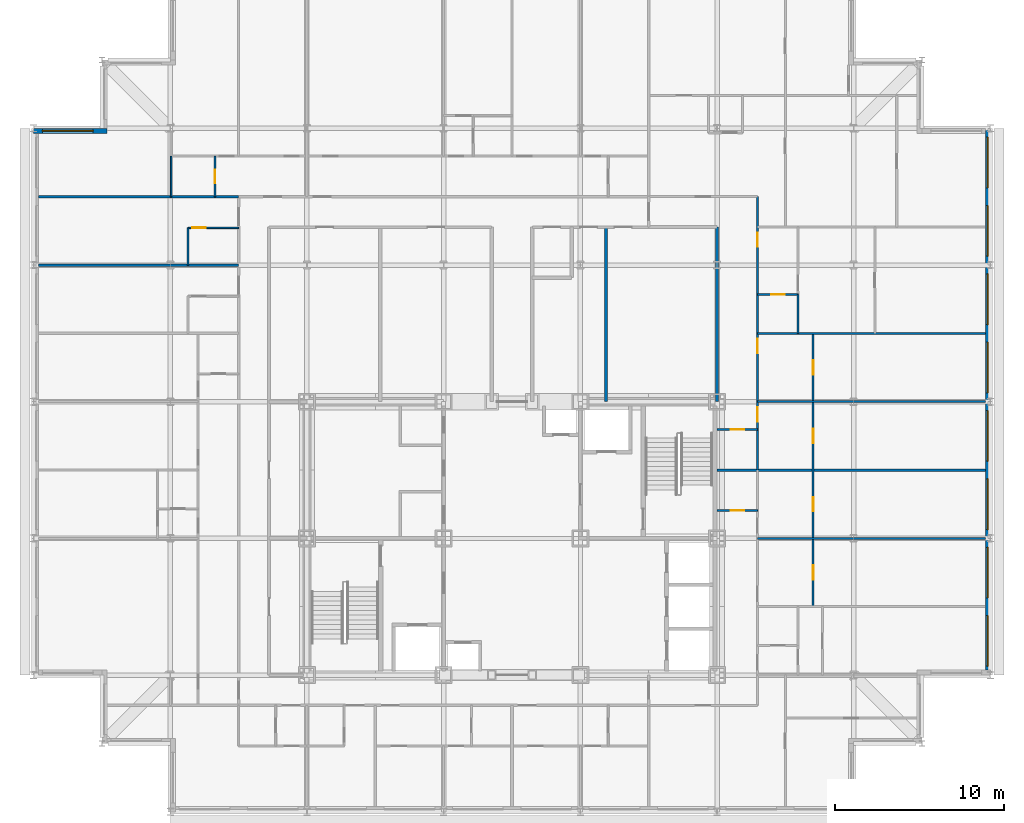
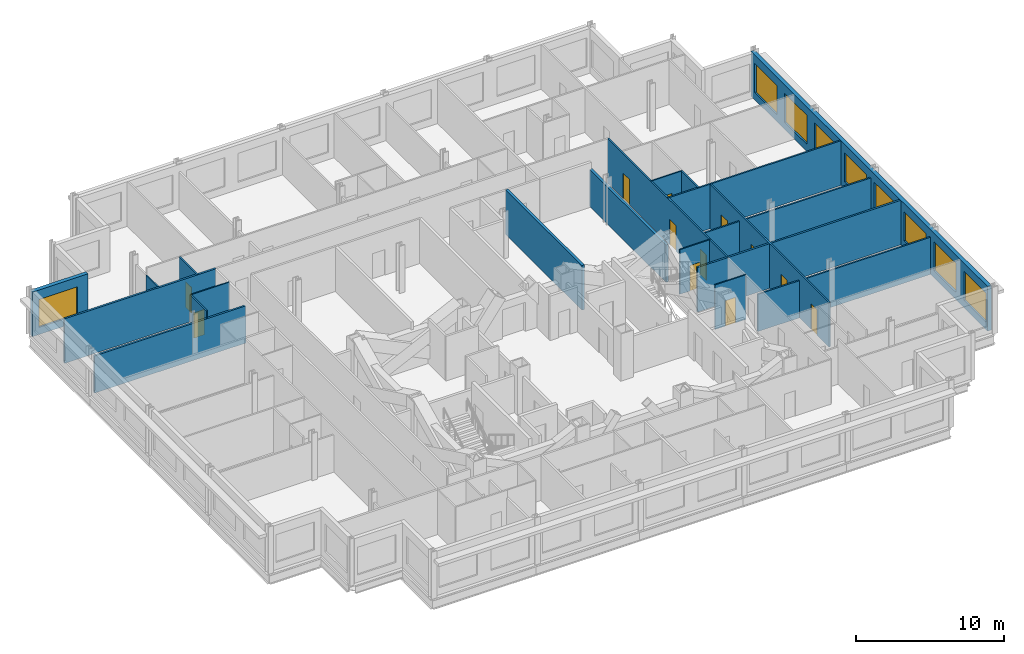
# One storey, part 11 of 15: 20 walls, 12 doors, 9 windows, 21 openings.
"""IFC4 building model written with IfcOpenShell, lengths in metres."""

from ifc_helpers import new_model, si_unit, direction, frame, frame_2d, origin, place, context, subcontext, project, spatial, rectangle, extrude, material, layer, layer_set, type_object, element, fill, save


model = new_model("IFC4")

# Units and contexts
model_context = context("Model", 3, precision=1e-05, world=origin(), true_north=direction((0.0, 1.0)))
body_context = subcontext(model_context, "Body", "Model", "MODEL_VIEW")
ifc_project = project(units=[si_unit("LENGTHUNIT", "METRE"), si_unit("AREAUNIT", "SQUARE_METRE"), si_unit("VOLUMEUNIT", "CUBIC_METRE"), si_unit("PLANEANGLEUNIT", "RADIAN"), si_unit("MASSUNIT", "GRAM", prefix="KILO")], contexts=[model_context])

# Site, building, storey
site_placement = place(None, origin())
site = spatial("IfcSite", under=ifc_project, at=site_placement, CompositionType="ELEMENT")
building_placement = place(site_placement, origin())
building = spatial("IfcBuilding", under=site, at=building_placement, Name="Kopane Lantern Tower", CompositionType="ELEMENT")
storey_placement = place(building_placement, frame((0.0, 0.0, 246.300048828125)))
storey = spatial("IfcBuildingStorey", under=building, at=storey_placement, Name="L63", CompositionType="ELEMENT", Elevation=246.300048828125)

# Wall
ifc_material_1 = material(Name="Gypsum board on steel studs", Category="steel")
ifc_layer_1 = layer(ifc_material_1, 0.1201171875)
ifc_layer_set_1 = layer_set([ifc_layer_1], Name="APARTMENT INTERNAL WALL 120")
wall_type_1 = type_object("IfcWallType", Name="APARTMENT INTERNAL WALL 120", PredefinedType="PARTITIONING", material=ifc_layer_set_1)
wall_1_placement = place(storey_placement, frame((42.89990234375, 32.39990234375, 0.0), z_axis=(0.0, 0.0, 1.0), x_axis=(1.0, 0.0, 0.0)))
element("IfcWall", 1, at=wall_1_placement, inside=storey, type_object=wall_type_1, Name="Apartment Internal Wall 120 L63", PredefinedType="PARTITIONING", context=body_context, shape_type="SweptSolid", body=[
    extrude(rectangle(XDim=13.5, YDim=0.1201171875, at=frame_2d((6.75, 0.0))), origin(), (0.0, 0.0, 1.0), 3.07763671875),
])

# Wall, openings, doors
wall_2_placement = place(storey_placement, frame((42.89990234375, 52.64990234375, 0.0), z_axis=(0.0, 0.0, 1.0), x_axis=(0.0, -1.0, 0.0)))
wall_2 = element("IfcWall", 2, at=wall_2_placement, inside=storey, type_object=wall_type_1, Name="Apartment Internal Wall 120 L63", PredefinedType="PARTITIONING", context=body_context, shape_type="SweptSolid", body=[
    extrude(rectangle(XDim=16.199951171875, YDim=0.1201171875, at=frame_2d((8.10009765625, 0.0))), origin(), (0.0, 0.0, 1.0), 3.68994140625),
])
opening_1_placement = place(wall_2_placement, frame((2.125, 0.0, 0.0)))
opening_1 = element("IfcOpeningElement", 3, at=opening_1_placement, cuts=wall_2, Name="Opening L63-058", PredefinedType="OPENING", context=body_context, shape_type="SweptSolid", body=[
    extrude(rectangle(XDim=0.85009765625, YDim=2.10009765625, at=frame_2d((0.425048828125, 1.050048828125))), frame((0.0, 0.070068359375, 0.0), z_axis=(0.0, -1.0, 0.0), x_axis=(1.0, 0.0, 0.0)), (0.0, 0.0, 1.0), 0.14013671875),
])
opening_2_placement = place(wall_2_placement, frame((8.425048828125, 0.0, 0.0)))
opening_2 = element("IfcOpeningElement", 4, at=opening_2_placement, cuts=wall_2, Name="Opening L63-059", PredefinedType="OPENING", context=body_context, shape_type="SweptSolid", body=[
    extrude(rectangle(XDim=0.85009765625, YDim=2.10009765625, at=frame_2d((0.425048828125, 1.050048828125))), frame((0.0, 0.070068359375, 0.0), z_axis=(0.0, -1.0, 0.0), x_axis=(1.0, 0.0, 0.0)), (0.0, 0.0, 1.0), 0.14013671875),
])
opening_3_placement = place(wall_2_placement, frame((12.47509765625, 0.0, 0.0)))
opening_3 = element("IfcOpeningElement", 5, at=opening_3_placement, cuts=wall_2, Name="Opening L63-060", PredefinedType="OPENING", context=body_context, shape_type="SweptSolid", body=[
    extrude(rectangle(XDim=0.85009765625, YDim=2.10009765625, at=frame_2d((0.425048828125, 1.050048828125))), frame((0.0, 0.070068359375, 0.0), z_axis=(0.0, -1.0, 0.0), x_axis=(1.0, 0.0, 0.0)), (0.0, 0.0, 1.0), 0.14013671875),
])
ifc_material_2 = material(Name="Timber door set", Category="wood")
door_type_1 = type_object("IfcDoorType", Name="DOOR D4 850x2100", OperationType="SINGLE_SWING_LEFT", PredefinedType="DOOR", material=ifc_material_2)
door_1_placement = place(opening_1_placement, origin())
door_1 = element("IfcDoor", 6, at=door_1_placement, inside=storey, type_object=door_type_1, Name="Door L63-058", OperationType="SINGLE_SWING_LEFT", OverallHeight=2.10009765625, OverallWidth=0.85009765625, PredefinedType="DOOR", context=body_context, shape_type="SweptSolid", body=[
    extrude(rectangle(XDim=0.85009765625, YDim=2.10009765625, at=frame_2d((0.425048828125, 1.050048828125))), frame((0.0, 0.02490234375, 0.0), z_axis=(0.0, -1.0, 0.0), x_axis=(1.0, 0.0, 0.0)), (0.0, 0.0, 1.0), 0.050048828125),
])
fill(opening_1, door_1)
door_2_placement = place(opening_2_placement, origin())
door_2 = element("IfcDoor", 7, at=door_2_placement, inside=storey, type_object=door_type_1, Name="Door L63-059", OperationType="SINGLE_SWING_LEFT", OverallHeight=2.10009765625, OverallWidth=0.85009765625, PredefinedType="DOOR", context=body_context, shape_type="SweptSolid", body=[
    extrude(rectangle(XDim=0.85009765625, YDim=2.10009765625, at=frame_2d((0.425048828125, 1.050048828125))), frame((0.0, 0.02490234375, 0.0), z_axis=(0.0, -1.0, 0.0), x_axis=(1.0, 0.0, 0.0)), (0.0, 0.0, 1.0), 0.050048828125),
])
fill(opening_2, door_2)
door_3_placement = place(opening_3_placement, origin())
door_3 = element("IfcDoor", 8, at=door_3_placement, inside=storey, type_object=door_type_1, Name="Door L63-060", OperationType="SINGLE_SWING_LEFT", OverallHeight=2.10009765625, OverallWidth=0.85009765625, PredefinedType="DOOR", context=body_context, shape_type="SweptSolid", body=[
    extrude(rectangle(XDim=0.85009765625, YDim=2.10009765625, at=frame_2d((0.425048828125, 1.050048828125))), frame((0.0, 0.02490234375, 0.0), z_axis=(0.0, -1.0, 0.0), x_axis=(1.0, 0.0, 0.0)), (0.0, 0.0, 1.0), 0.050048828125),
])
fill(opening_3, door_3)

# Walls
wall_3_placement = place(storey_placement, frame((42.89990234375, 44.550048828125, 0.0), z_axis=(0.0, 0.0, 1.0), x_axis=(1.0, 0.0, 0.0)))
element("IfcWall", 9, at=wall_3_placement, inside=storey, type_object=wall_type_1, Name="Apartment Internal Wall 120 L63", PredefinedType="PARTITIONING", context=body_context, shape_type="SweptSolid", body=[
    extrude(rectangle(XDim=13.5, YDim=0.1201171875, at=frame_2d((6.75, 0.0))), origin(), (0.0, 0.0, 1.0), 3.68994140625),
])
wall_4_placement = place(storey_placement, frame((42.89990234375, 40.5, 0.0), z_axis=(0.0, 0.0, 1.0), x_axis=(1.0, 0.0, 0.0)))
element("IfcWall", 10, at=wall_4_placement, inside=storey, type_object=wall_type_1, Name="Apartment Internal Wall 120 L63", PredefinedType="PARTITIONING", context=body_context, shape_type="SweptSolid", body=[
    extrude(rectangle(XDim=13.5, YDim=0.1201171875, at=frame_2d((6.75, 0.0))), origin(), (0.0, 0.0, 1.0), 3.07763671875),
])

# Wall, openings, doors
wall_5_placement = place(storey_placement, frame((46.199951171875, 28.35009765625, 0.0), z_axis=(0.0, 0.0, 1.0), x_axis=(0.0, 1.0, 0.0)))
wall_5 = element("IfcWall", 11, at=wall_5_placement, inside=storey, type_object=wall_type_1, Name="Apartment Internal Wall 120 L63", PredefinedType="PARTITIONING", context=body_context, shape_type="SweptSolid", body=[
    extrude(rectangle(XDim=16.199951171875, YDim=0.1201171875, at=frame_2d((8.10009765625, 0.0))), origin(), (0.0, 0.0, 1.0), 3.68994140625),
])
opening_4_placement = place(wall_5_placement, frame((1.60009765625, 0.0, 0.0)))
opening_4 = element("IfcOpeningElement", 12, at=opening_4_placement, cuts=wall_5, Name="Opening L63-068", PredefinedType="OPENING", context=body_context, shape_type="SweptSolid", body=[
    extrude(rectangle(XDim=0.85009765625, YDim=2.10009765625, at=frame_2d((0.425048828125, 1.050048828125))), frame((0.0, 0.070068359375, 0.0), z_axis=(0.0, -1.0, 0.0), x_axis=(1.0, 0.0, 0.0)), (0.0, 0.0, 1.0), 0.14013671875),
])
opening_5_placement = place(wall_5_placement, frame((5.64990234375, 0.0, 0.0)))
opening_5 = element("IfcOpeningElement", 13, at=opening_5_placement, cuts=wall_5, Name="Opening L63-069", PredefinedType="OPENING", context=body_context, shape_type="SweptSolid", body=[
    extrude(rectangle(XDim=0.85009765625, YDim=2.10009765625, at=frame_2d((0.425048828125, 1.050048828125))), frame((0.0, 0.070068359375, 0.0), z_axis=(0.0, -1.0, 0.0), x_axis=(1.0, 0.0, 0.0)), (0.0, 0.0, 1.0), 0.14013671875),
])
opening_6_placement = place(wall_5_placement, frame((13.75, 0.0, 0.0)))
opening_6 = element("IfcOpeningElement", 14, at=opening_6_placement, cuts=wall_5, Name="Opening L63-072", PredefinedType="OPENING", context=body_context, shape_type="SweptSolid", body=[
    extrude(rectangle(XDim=0.85009765625, YDim=2.10009765625, at=frame_2d((0.425048828125, 1.050048828125))), frame((0.0, 0.070068359375, 0.0), z_axis=(0.0, -1.0, 0.0), x_axis=(1.0, 0.0, 0.0)), (0.0, 0.0, 1.0), 0.14013671875),
])
opening_7_placement = place(wall_5_placement, frame((9.699951171875, 0.0, 0.0)))
opening_7 = element("IfcOpeningElement", 15, at=opening_7_placement, cuts=wall_5, Name="Opening L63-073", PredefinedType="OPENING", context=body_context, shape_type="SweptSolid", body=[
    extrude(rectangle(XDim=0.85009765625, YDim=2.10009765625, at=frame_2d((0.425048828125, 1.050048828125))), frame((0.0, 0.070068359375, 0.0), z_axis=(0.0, -1.0, 0.0), x_axis=(1.0, 0.0, 0.0)), (0.0, 0.0, 1.0), 0.14013671875),
])
door_4_placement = place(opening_4_placement, origin())
door_4 = element("IfcDoor", 16, at=door_4_placement, inside=storey, type_object=door_type_1, Name="Door L63-068", OperationType="SINGLE_SWING_LEFT", OverallHeight=2.10009765625, OverallWidth=0.85009765625, PredefinedType="DOOR", context=body_context, shape_type="SweptSolid", body=[
    extrude(rectangle(XDim=0.85009765625, YDim=2.10009765625, at=frame_2d((0.425048828125, 1.050048828125))), frame((0.0, 0.02490234375, 0.0), z_axis=(0.0, -1.0, 0.0), x_axis=(1.0, 0.0, 0.0)), (0.0, 0.0, 1.0), 0.050048828125),
])
fill(opening_4, door_4)
door_5_placement = place(opening_5_placement, origin())
door_5 = element("IfcDoor", 17, at=door_5_placement, inside=storey, type_object=door_type_1, Name="Door L63-069", OperationType="SINGLE_SWING_RIGHT", OverallHeight=2.10009765625, OverallWidth=0.85009765625, PredefinedType="DOOR", context=body_context, shape_type="SweptSolid", body=[
    extrude(rectangle(XDim=0.85009765625, YDim=2.10009765625, at=frame_2d((0.425048828125, 1.050048828125))), frame((0.0, 0.02490234375, 0.0), z_axis=(0.0, -1.0, 0.0), x_axis=(1.0, 0.0, 0.0)), (0.0, 0.0, 1.0), 0.050048828125),
])
fill(opening_5, door_5)
door_6_placement = place(opening_6_placement, origin())
door_6 = element("IfcDoor", 18, at=door_6_placement, inside=storey, type_object=door_type_1, Name="Door L63-072", OperationType="SINGLE_SWING_RIGHT", OverallHeight=2.10009765625, OverallWidth=0.85009765625, PredefinedType="DOOR", context=body_context, shape_type="SweptSolid", body=[
    extrude(rectangle(XDim=0.85009765625, YDim=2.10009765625, at=frame_2d((0.425048828125, 1.050048828125))), frame((0.0, 0.02490234375, 0.0), z_axis=(0.0, -1.0, 0.0), x_axis=(1.0, 0.0, 0.0)), (0.0, 0.0, 1.0), 0.050048828125),
])
fill(opening_6, door_6)
door_7_placement = place(opening_7_placement, origin())
door_7 = element("IfcDoor", 19, at=door_7_placement, inside=storey, type_object=door_type_1, Name="Door L63-073", OperationType="SINGLE_SWING_LEFT", OverallHeight=2.10009765625, OverallWidth=0.85009765625, PredefinedType="DOOR", context=body_context, shape_type="SweptSolid", body=[
    extrude(rectangle(XDim=0.85009765625, YDim=2.10009765625, at=frame_2d((0.425048828125, 1.050048828125))), frame((0.0, 0.02490234375, 0.0), z_axis=(0.0, -1.0, 0.0), x_axis=(1.0, 0.0, 0.0)), (0.0, 0.0, 1.0), 0.050048828125),
])
fill(opening_7, door_7)

# Wall
ifc_material_3 = material(Name="Moisture-resistant board on steel studs", Category="steel")
ifc_layer_2 = layer(ifc_material_3, 0.10009765625)
ifc_layer_set_2 = layer_set([ifc_layer_2], Name="BATHROOM WALL 100")
wall_type_2 = type_object("IfcWallType", Name="BATHROOM WALL 100", PredefinedType="PARTITIONING", material=ifc_layer_set_2)
wall_6_placement = place(storey_placement, frame((9.14990234375, 48.60009765625, 0.0), z_axis=(0.0, 0.0, 1.0), x_axis=(0.0, 1.0, 0.0)))
element("IfcWall", 20, at=wall_6_placement, inside=storey, type_object=wall_type_2, Name="Bathroom Wall 100 L63", PredefinedType="PARTITIONING", context=body_context, shape_type="SweptSolid", body=[
    extrude(rectangle(XDim=2.199951171875, YDim=0.10009765625, at=frame_2d((1.10009765625, 0.0))), origin(), (0.0, 0.0, 1.0), 3.68994140625),
])

# Wall, opening, door
wall_7_placement = place(storey_placement, frame((12.14990234375, 50.800048828125, 0.0), z_axis=(0.0, 0.0, 1.0), x_axis=(-1.0, 0.0, 0.0)))
wall_7 = element("IfcWall", 21, at=wall_7_placement, inside=storey, type_object=wall_type_2, Name="Bathroom Wall 100 L63", PredefinedType="PARTITIONING", context=body_context, shape_type="SweptSolid", body=[
    extrude(rectangle(XDim=3.0, YDim=0.10009765625, at=frame_2d((1.5, 0.0))), origin(), (0.0, 0.0, 1.0), 3.68994140625),
])
opening_8_placement = place(wall_7_placement, frame((1.949951171875, 0.0, 0.0)))
opening_8 = element("IfcOpeningElement", 22, at=opening_8_placement, cuts=wall_7, Name="Opening L63-034", PredefinedType="OPENING", context=body_context, shape_type="SweptSolid", body=[
    extrude(rectangle(XDim=0.800048828125, YDim=2.10009765625, at=frame_2d((0.39990234375, 1.050048828125))), frame((0.0, 0.06005859375, 0.0), z_axis=(0.0, -1.0, 0.0), x_axis=(1.0, 0.0, 0.0)), (0.0, 0.0, 1.0), 0.1201171875),
])
ifc_material_4 = material(Name="Timber door set", Category="wood")
door_type_2 = type_object("IfcDoorType", Name="DOOR D2 800x2100", OperationType="SINGLE_SWING_LEFT", PredefinedType="DOOR", material=ifc_material_4)
door_8_placement = place(opening_8_placement, origin())
door_8 = element("IfcDoor", 23, at=door_8_placement, inside=storey, type_object=door_type_2, Name="Door L63-034", OperationType="SINGLE_SWING_RIGHT", OverallHeight=2.10009765625, OverallWidth=0.800048828125, PredefinedType="DOOR", context=body_context, shape_type="SweptSolid", body=[
    extrude(rectangle(XDim=0.800048828125, YDim=2.10009765625, at=frame_2d((0.39990234375, 1.050048828125))), frame((0.0, 0.02490234375, 0.0), z_axis=(0.0, -1.0, 0.0), x_axis=(1.0, 0.0, 0.0)), (0.0, 0.0, 1.0), 0.050048828125),
])
fill(opening_8, door_8)

wall_8_placement = place(storey_placement, frame((10.75, 52.64990234375, 0.0), z_axis=(0.0, 0.0, 1.0), x_axis=(0.0, 1.0, 0.0)))
wall_8 = element("IfcWall", 24, at=wall_8_placement, inside=storey, type_object=wall_type_2, Name="Bathroom Wall 100 L63", PredefinedType="PARTITIONING", context=body_context, shape_type="SweptSolid", body=[
    extrude(rectangle(XDim=2.400146484375, YDim=0.10009765625, at=frame_2d((1.2001953125, 0.0))), origin(), (0.0, 0.0, 1.0), 3.68994140625),
])
opening_9_placement = place(wall_8_placement, frame((0.800048828125, 0.0, 0.0)))
opening_9 = element("IfcOpeningElement", 25, at=opening_9_placement, cuts=wall_8, Name="Opening L63-041", PredefinedType="OPENING", context=body_context, shape_type="SweptSolid", body=[
    extrude(rectangle(XDim=0.800048828125, YDim=2.10009765625, at=frame_2d((0.39990234375, 1.050048828125))), frame((0.0, 0.06005859375, 0.0), z_axis=(0.0, -1.0, 0.0), x_axis=(1.0, 0.0, 0.0)), (0.0, 0.0, 1.0), 0.1201171875),
])
door_9_placement = place(opening_9_placement, origin())
door_9 = element("IfcDoor", 26, at=door_9_placement, inside=storey, type_object=door_type_2, Name="Door L63-041", OperationType="SINGLE_SWING_LEFT", OverallHeight=2.10009765625, OverallWidth=0.800048828125, PredefinedType="DOOR", context=body_context, shape_type="SweptSolid", body=[
    extrude(rectangle(XDim=0.800048828125, YDim=2.10009765625, at=frame_2d((0.39990234375, 1.050048828125))), frame((0.0, 0.02490234375, 0.0), z_axis=(0.0, -1.0, 0.0), x_axis=(1.0, 0.0, 0.0)), (0.0, 0.0, 1.0), 0.050048828125),
])
fill(opening_9, door_9)

# Wall
wall_9_placement = place(storey_placement, frame((8.14990234375, 52.64990234375, 0.0), z_axis=(0.0, 0.0, 1.0), x_axis=(0.0, 1.0, 0.0)))
element("IfcWall", 27, at=wall_9_placement, inside=storey, type_object=wall_type_2, Name="Bathroom Wall 100 L63", PredefinedType="PARTITIONING", context=body_context, shape_type="SweptSolid", body=[
    extrude(rectangle(XDim=2.400146484375, YDim=0.10009765625, at=frame_2d((1.2001953125, 0.0))), origin(), (0.0, 0.0, 1.0), 3.07763671875),
])

# Wall, opening, door
wall_10_placement = place(storey_placement, frame((40.5, 34.050048828125, 0.0), z_axis=(0.0, 0.0, 1.0), x_axis=(1.0, 0.0, 0.0)))
wall_10 = element("IfcWall", 28, at=wall_10_placement, inside=storey, type_object=wall_type_2, Name="Bathroom Wall 100 L63", PredefinedType="PARTITIONING", context=body_context, shape_type="SweptSolid", body=[
    extrude(rectangle(XDim=2.39990234375, YDim=0.10009765625, at=frame_2d((1.199951171875, 0.0))), origin(), (0.0, 0.0, 1.0), 3.68994140625),
])
opening_10_placement = place(wall_10_placement, frame((0.800048828125, 0.0, 0.0)))
opening_10 = element("IfcOpeningElement", 29, at=opening_10_placement, cuts=wall_10, Name="Opening L63-044", PredefinedType="OPENING", context=body_context, shape_type="SweptSolid", body=[
    extrude(rectangle(XDim=0.800048828125, YDim=2.10009765625, at=frame_2d((0.39990234375, 1.050048828125))), frame((0.0, 0.06005859375, 0.0), z_axis=(0.0, -1.0, 0.0), x_axis=(1.0, 0.0, 0.0)), (0.0, 0.0, 1.0), 0.1201171875),
])
door_10_placement = place(opening_10_placement, origin())
door_10 = element("IfcDoor", 30, at=door_10_placement, inside=storey, type_object=door_type_2, Name="Door L63-044", OperationType="SINGLE_SWING_LEFT", OverallHeight=2.10009765625, OverallWidth=0.800048828125, PredefinedType="DOOR", context=body_context, shape_type="SweptSolid", body=[
    extrude(rectangle(XDim=0.800048828125, YDim=2.10009765625, at=frame_2d((0.39990234375, 1.050048828125))), frame((0.0, 0.02490234375, 0.0), z_axis=(0.0, -1.0, 0.0), x_axis=(1.0, 0.0, 0.0)), (0.0, 0.0, 1.0), 0.050048828125),
])
fill(opening_10, door_10)

wall_11_placement = place(storey_placement, frame((40.5, 38.85009765625, 0.0), z_axis=(0.0, 0.0, 1.0), x_axis=(1.0, 0.0, 0.0)))
wall_11 = element("IfcWall", 31, at=wall_11_placement, inside=storey, type_object=wall_type_2, Name="Bathroom Wall 100 L63", PredefinedType="PARTITIONING", context=body_context, shape_type="SweptSolid", body=[
    extrude(rectangle(XDim=2.39990234375, YDim=0.10009765625, at=frame_2d((1.199951171875, 0.0))), origin(), (0.0, 0.0, 1.0), 3.68994140625),
])
opening_11_placement = place(wall_11_placement, frame((0.800048828125, 0.0, 0.0)))
opening_11 = element("IfcOpeningElement", 32, at=opening_11_placement, cuts=wall_11, Name="Opening L63-052", PredefinedType="OPENING", context=body_context, shape_type="SweptSolid", body=[
    extrude(rectangle(XDim=0.800048828125, YDim=2.10009765625, at=frame_2d((0.39990234375, 1.050048828125))), frame((0.0, 0.06005859375, 0.0), z_axis=(0.0, -1.0, 0.0), x_axis=(1.0, 0.0, 0.0)), (0.0, 0.0, 1.0), 0.1201171875),
])
door_11_placement = place(opening_11_placement, origin())
door_11 = element("IfcDoor", 33, at=door_11_placement, inside=storey, type_object=door_type_2, Name="Door L63-052", OperationType="SINGLE_SWING_RIGHT", OverallHeight=2.10009765625, OverallWidth=0.800048828125, PredefinedType="DOOR", context=body_context, shape_type="SweptSolid", body=[
    extrude(rectangle(XDim=0.800048828125, YDim=2.10009765625, at=frame_2d((0.39990234375, 1.050048828125))), frame((0.0, 0.02490234375, 0.0), z_axis=(0.0, -1.0, 0.0), x_axis=(1.0, 0.0, 0.0)), (0.0, 0.0, 1.0), 0.050048828125),
])
fill(opening_11, door_11)

wall_12_placement = place(storey_placement, frame((42.89990234375, 46.85009765625, 0.0), z_axis=(0.0, 0.0, 1.0), x_axis=(1.0, 0.0, 0.0)))
wall_12 = element("IfcWall", 34, at=wall_12_placement, inside=storey, type_object=wall_type_2, Name="Bathroom Wall 100 L63", PredefinedType="PARTITIONING", context=body_context, shape_type="SweptSolid", body=[
    extrude(rectangle(XDim=2.400146484375, YDim=0.10009765625, at=frame_2d((1.2001953125, 0.0))), origin(), (0.0, 0.0, 1.0), 3.68994140625),
])
opening_12_placement = place(wall_12_placement, frame((0.800048828125, 0.0, 0.0)))
opening_12 = element("IfcOpeningElement", 35, at=opening_12_placement, cuts=wall_12, Name="Opening L63-057", PredefinedType="OPENING", context=body_context, shape_type="SweptSolid", body=[
    extrude(rectangle(XDim=0.800048828125, YDim=2.10009765625, at=frame_2d((0.39990234375, 1.050048828125))), frame((0.0, 0.06005859375, 0.0), z_axis=(0.0, -1.0, 0.0), x_axis=(1.0, 0.0, 0.0)), (0.0, 0.0, 1.0), 0.1201171875),
])
door_12_placement = place(opening_12_placement, origin())
door_12 = element("IfcDoor", 36, at=door_12_placement, inside=storey, type_object=door_type_2, Name="Door L63-057", OperationType="SINGLE_SWING_LEFT", OverallHeight=2.10009765625, OverallWidth=0.800048828125, PredefinedType="DOOR", context=body_context, shape_type="SweptSolid", body=[
    extrude(rectangle(XDim=0.800048828125, YDim=2.10009765625, at=frame_2d((0.39990234375, 1.050048828125))), frame((0.0, 0.02490234375, 0.0), z_axis=(0.0, -1.0, 0.0), x_axis=(1.0, 0.0, 0.0)), (0.0, 0.0, 1.0), 0.050048828125),
])
fill(opening_12, door_12)

# Walls
wall_13_placement = place(storey_placement, frame((45.300048828125, 46.85009765625, 0.0), z_axis=(0.0, 0.0, 1.0), x_axis=(0.0, -1.0, 0.0)))
element("IfcWall", 37, at=wall_13_placement, inside=storey, type_object=wall_type_2, Name="Bathroom Wall 100 L63", PredefinedType="PARTITIONING", context=body_context, shape_type="SweptSolid", body=[
    extrude(rectangle(XDim=2.300048828125, YDim=0.10009765625, at=frame_2d((1.14990234375, 0.0))), origin(), (0.0, 0.0, 1.0), 3.68994140625),
])
ifc_material_5 = material(Name="Gypsum board on steel studs", Category="steel")
ifc_layer_3 = layer(ifc_material_5, 0.14990234375)
ifc_layer_set_3 = layer_set([ifc_layer_3], Name="DEMISING WALL 150 EI 60")
wall_type_3 = type_object("IfcWallType", Name="DEMISING WALL 150 EI 60", PredefinedType="PARTITIONING", material=ifc_layer_set_3)
wall_14_placement = place(storey_placement, frame((12.14990234375, 48.60009765625, 0.0), z_axis=(0.0, 0.0, 1.0), x_axis=(-1.0, 0.0, 0.0)))
element("IfcWall", 38, at=wall_14_placement, inside=storey, type_object=wall_type_3, Name="Demising Wall 150 Ei 60 L63", PredefinedType="PARTITIONING", context=body_context, shape_type="SweptSolid", body=[
    extrude(rectangle(XDim=11.849853515625, YDim=0.14990234375, at=frame_2d((5.9248046875, 0.0))), origin(), (0.0, 0.0, 1.0), 3.07763671875),
])
wall_15_placement = place(storey_placement, frame((0.300048828125, 52.64990234375, 0.0), z_axis=(0.0, 0.0, 1.0), x_axis=(1.0, 0.0, 0.0)))
element("IfcWall", 39, at=wall_15_placement, inside=storey, type_object=wall_type_3, Name="Demising Wall 150 Ei 60 L63", PredefinedType="PARTITIONING", context=body_context, shape_type="SweptSolid", body=[
    extrude(rectangle(XDim=11.849853515625, YDim=0.14990234375, at=frame_2d((5.9248046875, 0.0))), origin(), (0.0, 0.0, 1.0), 3.68994140625),
])
wall_16_placement = place(storey_placement, frame((40.5, 36.449951171875, 0.0), z_axis=(0.0, 0.0, 1.0), x_axis=(1.0, 0.0, 0.0)))
element("IfcWall", 40, at=wall_16_placement, inside=storey, type_object=wall_type_3, Name="Demising Wall 150 Ei 60 L63", PredefinedType="PARTITIONING", context=body_context, shape_type="SweptSolid", body=[
    extrude(rectangle(XDim=15.89990234375, YDim=0.14990234375, at=frame_2d((7.949951171875, 0.0))), origin(), (0.0, 0.0, 1.0), 3.68994140625),
])

# Wall, openings, windows
ifc_material_6 = material(Name="Terracotta rainscreen on light steel framing", Category="masonry")
ifc_layer_4 = layer(ifc_material_6, 0.300048828125)
ifc_layer_set_4 = layer_set([ifc_layer_4], Name="EXTERNAL WALL EW1 300 TERRACOTTA")
wall_type_4 = type_object("IfcWallType", Name="EXTERNAL WALL EW1 300 TERRACOTTA", PredefinedType="SOLIDWALL", material=ifc_layer_set_4)
wall_17_placement = place(storey_placement, frame((56.550048828125, 24.60009765625, 0.0), z_axis=(0.0, 0.0, 1.0), x_axis=(0.0, 1.0, 0.0)))
wall_17 = element("IfcWall", 41, at=wall_17_placement, inside=storey, type_object=wall_type_4, Name="External wall E L63", PredefinedType="SOLIDWALL", context=body_context, shape_type="SweptSolid", body=[
    extrude(rectangle(XDim=32.099853515625, YDim=0.300048828125, at=frame_2d((16.0498046875, 0.0))), origin(), (0.0, 0.0, 1.0), 3.68994140625),
])
opening_13_placement = place(wall_17_placement, frame((0.22509765625, 0.0, 0.60009765625)))
opening_13 = element("IfcOpeningElement", 42, at=opening_13_placement, cuts=wall_17, Name="Opening WR300240", PredefinedType="OPENING", context=body_context, shape_type="SweptSolid", body=[
    extrude(rectangle(XDim=3.0, YDim=2.39990234375, at=frame_2d((1.5, 1.199951171875))), frame((0.0, 0.159912109375, 0.0), z_axis=(0.0, -1.0, 0.0), x_axis=(1.0, 0.0, 0.0)), (0.0, 0.0, 1.0), 0.320068359375),
])
opening_14_placement = place(wall_17_placement, frame((4.27490234375, 0.0, 0.60009765625)))
opening_14 = element("IfcOpeningElement", 43, at=opening_14_placement, cuts=wall_17, Name="Opening WR300240", PredefinedType="OPENING", context=body_context, shape_type="SweptSolid", body=[
    extrude(rectangle(XDim=3.0, YDim=2.39990234375, at=frame_2d((1.5, 1.199951171875))), frame((0.0, 0.159912109375, 0.0), z_axis=(0.0, -1.0, 0.0), x_axis=(1.0, 0.0, 0.0)), (0.0, 0.0, 1.0), 0.320068359375),
])
opening_15_placement = place(wall_17_placement, frame((8.324951171875, 0.0, 0.60009765625)))
opening_15 = element("IfcOpeningElement", 44, at=opening_15_placement, cuts=wall_17, Name="Opening WR300240", PredefinedType="OPENING", context=body_context, shape_type="SweptSolid", body=[
    extrude(rectangle(XDim=3.0, YDim=2.39990234375, at=frame_2d((1.5, 1.199951171875))), frame((0.0, 0.159912109375, 0.0), z_axis=(0.0, -1.0, 0.0), x_axis=(1.0, 0.0, 0.0)), (0.0, 0.0, 1.0), 0.320068359375),
])
opening_16_placement = place(wall_17_placement, frame((12.375, 0.0, 0.60009765625)))
opening_16 = element("IfcOpeningElement", 45, at=opening_16_placement, cuts=wall_17, Name="Opening WR300240", PredefinedType="OPENING", context=body_context, shape_type="SweptSolid", body=[
    extrude(rectangle(XDim=3.0, YDim=2.39990234375, at=frame_2d((1.5, 1.199951171875))), frame((0.0, 0.159912109375, 0.0), z_axis=(0.0, -1.0, 0.0), x_axis=(1.0, 0.0, 0.0)), (0.0, 0.0, 1.0), 0.320068359375),
])
opening_17_placement = place(wall_17_placement, frame((16.425048828125, 0.0, 0.60009765625)))
opening_17 = element("IfcOpeningElement", 46, at=opening_17_placement, cuts=wall_17, Name="Opening WR300240", PredefinedType="OPENING", context=body_context, shape_type="SweptSolid", body=[
    extrude(rectangle(XDim=3.0, YDim=2.39990234375, at=frame_2d((1.5, 1.199951171875))), frame((0.0, 0.159912109375, 0.0), z_axis=(0.0, -1.0, 0.0), x_axis=(1.0, 0.0, 0.0)), (0.0, 0.0, 1.0), 0.320068359375),
])
opening_18_placement = place(wall_17_placement, frame((20.47509765625, 0.0, 0.60009765625)))
opening_18 = element("IfcOpeningElement", 47, at=opening_18_placement, cuts=wall_17, Name="Opening WR300240", PredefinedType="OPENING", context=body_context, shape_type="SweptSolid", body=[
    extrude(rectangle(XDim=3.0, YDim=2.39990234375, at=frame_2d((1.5, 1.199951171875))), frame((0.0, 0.159912109375, 0.0), z_axis=(0.0, -1.0, 0.0), x_axis=(1.0, 0.0, 0.0)), (0.0, 0.0, 1.0), 0.320068359375),
])
opening_19_placement = place(wall_17_placement, frame((24.52490234375, 0.0, 0.60009765625)))
opening_19 = element("IfcOpeningElement", 48, at=opening_19_placement, cuts=wall_17, Name="Opening WR300240", PredefinedType="OPENING", context=body_context, shape_type="SweptSolid", body=[
    extrude(rectangle(XDim=3.0, YDim=2.39990234375, at=frame_2d((1.5, 1.199951171875))), frame((0.0, 0.159912109375, 0.0), z_axis=(0.0, -1.0, 0.0), x_axis=(1.0, 0.0, 0.0)), (0.0, 0.0, 1.0), 0.320068359375),
])
opening_20_placement = place(wall_17_placement, frame((28.574951171875, 0.0, 0.60009765625)))
opening_20 = element("IfcOpeningElement", 49, at=opening_20_placement, cuts=wall_17, Name="Opening WR300240", PredefinedType="OPENING", context=body_context, shape_type="SweptSolid", body=[
    extrude(rectangle(XDim=3.0, YDim=2.39990234375, at=frame_2d((1.5, 1.199951171875))), frame((0.0, 0.159912109375, 0.0), z_axis=(0.0, -1.0, 0.0), x_axis=(1.0, 0.0, 0.0)), (0.0, 0.0, 1.0), 0.320068359375),
])
ifc_material_7 = material(Name="Aluminium and clear glass", Category="aluminium")
window_type_1 = type_object("IfcWindowType", Name="RIBBON WINDOW WR300240 3000x2400", PartitioningType="SINGLE_PANEL", PredefinedType="WINDOW", material=ifc_material_7)
window_1_placement = place(opening_13_placement, origin())
window_1 = element("IfcWindow", 50, at=window_1_placement, inside=storey, type_object=window_type_1, Name="Window E L63", OverallHeight=2.39990234375, OverallWidth=3.0, PartitioningType="SINGLE_PANEL", PredefinedType="WINDOW", context=body_context, shape_type="SweptSolid", body=[
    extrude(rectangle(XDim=3.0, YDim=2.39990234375, at=frame_2d((1.5, 1.199951171875))), frame((0.0, 0.030029296875, 0.0), z_axis=(0.0, -1.0, 0.0), x_axis=(1.0, 0.0, 0.0)), (0.0, 0.0, 1.0), 0.06005859375),
])
fill(opening_13, window_1)
window_2_placement = place(opening_14_placement, origin())
window_2 = element("IfcWindow", 51, at=window_2_placement, inside=storey, type_object=window_type_1, Name="Window E L63", OverallHeight=2.39990234375, OverallWidth=3.0, PartitioningType="SINGLE_PANEL", PredefinedType="WINDOW", context=body_context, shape_type="SweptSolid", body=[
    extrude(rectangle(XDim=3.0, YDim=2.39990234375, at=frame_2d((1.5, 1.199951171875))), frame((0.0, 0.030029296875, 0.0), z_axis=(0.0, -1.0, 0.0), x_axis=(1.0, 0.0, 0.0)), (0.0, 0.0, 1.0), 0.06005859375),
])
fill(opening_14, window_2)
window_3_placement = place(opening_15_placement, origin())
window_3 = element("IfcWindow", 52, at=window_3_placement, inside=storey, type_object=window_type_1, Name="Window E L63", OverallHeight=2.39990234375, OverallWidth=3.0, PartitioningType="SINGLE_PANEL", PredefinedType="WINDOW", context=body_context, shape_type="SweptSolid", body=[
    extrude(rectangle(XDim=3.0, YDim=2.39990234375, at=frame_2d((1.5, 1.199951171875))), frame((0.0, 0.030029296875, 0.0), z_axis=(0.0, -1.0, 0.0), x_axis=(1.0, 0.0, 0.0)), (0.0, 0.0, 1.0), 0.06005859375),
])
fill(opening_15, window_3)
window_4_placement = place(opening_16_placement, origin())
window_4 = element("IfcWindow", 53, at=window_4_placement, inside=storey, type_object=window_type_1, Name="Window E L63", OverallHeight=2.39990234375, OverallWidth=3.0, PartitioningType="SINGLE_PANEL", PredefinedType="WINDOW", context=body_context, shape_type="SweptSolid", body=[
    extrude(rectangle(XDim=3.0, YDim=2.39990234375, at=frame_2d((1.5, 1.199951171875))), frame((0.0, 0.030029296875, 0.0), z_axis=(0.0, -1.0, 0.0), x_axis=(1.0, 0.0, 0.0)), (0.0, 0.0, 1.0), 0.06005859375),
])
fill(opening_16, window_4)
window_5_placement = place(opening_17_placement, origin())
window_5 = element("IfcWindow", 54, at=window_5_placement, inside=storey, type_object=window_type_1, Name="Window E L63", OverallHeight=2.39990234375, OverallWidth=3.0, PartitioningType="SINGLE_PANEL", PredefinedType="WINDOW", context=body_context, shape_type="SweptSolid", body=[
    extrude(rectangle(XDim=3.0, YDim=2.39990234375, at=frame_2d((1.5, 1.199951171875))), frame((0.0, 0.030029296875, 0.0), z_axis=(0.0, -1.0, 0.0), x_axis=(1.0, 0.0, 0.0)), (0.0, 0.0, 1.0), 0.06005859375),
])
fill(opening_17, window_5)
window_6_placement = place(opening_18_placement, origin())
window_6 = element("IfcWindow", 55, at=window_6_placement, inside=storey, type_object=window_type_1, Name="Window E L63", OverallHeight=2.39990234375, OverallWidth=3.0, PartitioningType="SINGLE_PANEL", PredefinedType="WINDOW", context=body_context, shape_type="SweptSolid", body=[
    extrude(rectangle(XDim=3.0, YDim=2.39990234375, at=frame_2d((1.5, 1.199951171875))), frame((0.0, 0.030029296875, 0.0), z_axis=(0.0, -1.0, 0.0), x_axis=(1.0, 0.0, 0.0)), (0.0, 0.0, 1.0), 0.06005859375),
])
fill(opening_18, window_6)
window_7_placement = place(opening_19_placement, origin())
window_7 = element("IfcWindow", 56, at=window_7_placement, inside=storey, type_object=window_type_1, Name="Window E L63", OverallHeight=2.39990234375, OverallWidth=3.0, PartitioningType="SINGLE_PANEL", PredefinedType="WINDOW", context=body_context, shape_type="SweptSolid", body=[
    extrude(rectangle(XDim=3.0, YDim=2.39990234375, at=frame_2d((1.5, 1.199951171875))), frame((0.0, 0.030029296875, 0.0), z_axis=(0.0, -1.0, 0.0), x_axis=(1.0, 0.0, 0.0)), (0.0, 0.0, 1.0), 0.06005859375),
])
fill(opening_19, window_7)
window_8_placement = place(opening_20_placement, origin())
window_8 = element("IfcWindow", 57, at=window_8_placement, inside=storey, type_object=window_type_1, Name="Window E L63", OverallHeight=2.39990234375, OverallWidth=3.0, PartitioningType="SINGLE_PANEL", PredefinedType="WINDOW", context=body_context, shape_type="SweptSolid", body=[
    extrude(rectangle(XDim=3.0, YDim=2.39990234375, at=frame_2d((1.5, 1.199951171875))), frame((0.0, 0.030029296875, 0.0), z_axis=(0.0, -1.0, 0.0), x_axis=(1.0, 0.0, 0.0)), (0.0, 0.0, 1.0), 0.06005859375),
])
fill(opening_20, window_8)

# Wall, opening, window
wall_18_placement = place(storey_placement, frame((4.35009765625, 56.550048828125, 0.0), z_axis=(0.0, 0.0, 1.0), x_axis=(-1.0, 0.0, 0.0)))
wall_18 = element("IfcWall", 58, at=wall_18_placement, inside=storey, type_object=wall_type_4, Name="External wall N L63", PredefinedType="SOLIDWALL", context=body_context, shape_type="SweptSolid", body=[
    extrude(rectangle(XDim=4.35009765625, YDim=0.300048828125, at=frame_2d((2.175048828125, 0.0))), origin(), (0.0, 0.0, 1.0), 3.68994140625),
])
opening_21_placement = place(wall_18_placement, frame((0.824951171875, 0.0, 0.60009765625)))
opening_21 = element("IfcOpeningElement", 59, at=opening_21_placement, cuts=wall_18, Name="Opening WR300230", PredefinedType="OPENING", context=body_context, shape_type="SweptSolid", body=[
    extrude(rectangle(XDim=3.0, YDim=2.300048828125, at=frame_2d((1.5, 1.14990234375))), frame((0.0, 0.159912109375, 0.0), z_axis=(0.0, -1.0, 0.0), x_axis=(1.0, 0.0, 0.0)), (0.0, 0.0, 1.0), 0.320068359375),
])
ifc_material_8 = material(Name="Aluminium and clear glass", Category="aluminium")
window_type_2 = type_object("IfcWindowType", Name="RIBBON WINDOW WR300230 3000x2300", PartitioningType="SINGLE_PANEL", PredefinedType="WINDOW", material=ifc_material_8)
window_9_placement = place(opening_21_placement, origin())
window_9 = element("IfcWindow", 60, at=window_9_placement, inside=storey, type_object=window_type_2, Name="Window N L63", OverallHeight=2.300048828125, OverallWidth=3.0, PartitioningType="SINGLE_PANEL", PredefinedType="WINDOW", context=body_context, shape_type="SweptSolid", body=[
    extrude(rectangle(XDim=3.0, YDim=2.300048828125, at=frame_2d((1.5, 1.14990234375))), frame((0.0, 0.030029296875, 0.0), z_axis=(0.0, -1.0, 0.0), x_axis=(1.0, 0.0, 0.0)), (0.0, 0.0, 1.0), 0.06005859375),
])
fill(opening_21, window_9)

# Walls
ifc_material_9 = material(Name="Concrete masonry", Category="masonry")
ifc_layer_5 = layer(ifc_material_9, 0.199951171875)
ifc_layer_set_5 = layer_set([ifc_layer_5], Name="PLANT ROOM WALL 200 EI 120")
wall_type_5 = type_object("IfcWallType", Name="PLANT ROOM WALL 200 EI 120", PredefinedType="SOLIDWALL", material=ifc_layer_set_5)
wall_19_placement = place(storey_placement, frame((33.916748046875, 50.85009765625, 0.0), z_axis=(0.0, 0.0, 1.0), x_axis=(0.0, -1.0, 0.0)))
element("IfcWall", 61, at=wall_19_placement, inside=storey, type_object=wall_type_5, Name="Plant Room Wall 200 Ei 120 L63", PredefinedType="SOLIDWALL", context=body_context, shape_type="SweptSolid", body=[
    extrude(rectangle(XDim=10.35009765625, YDim=0.199951171875, at=frame_2d((5.175048828125, 0.0))), origin(), (0.0, 0.0, 1.0), 3.68994140625),
])
wall_20_placement = place(storey_placement, frame((40.5, 40.5, 0.0), z_axis=(0.0, 0.0, 1.0), x_axis=(0.0, 1.0, 0.0)))
element("IfcWall", 62, at=wall_20_placement, inside=storey, type_object=wall_type_5, Name="Plant Room Wall 200 Ei 120 L63", PredefinedType="SOLIDWALL", context=body_context, shape_type="SweptSolid", body=[
    extrude(rectangle(XDim=10.35009765625, YDim=0.199951171875, at=frame_2d((5.175048828125, 0.0))), origin(), (0.0, 0.0, 1.0), 3.07763671875),
])

save(model, "model.ifc")
